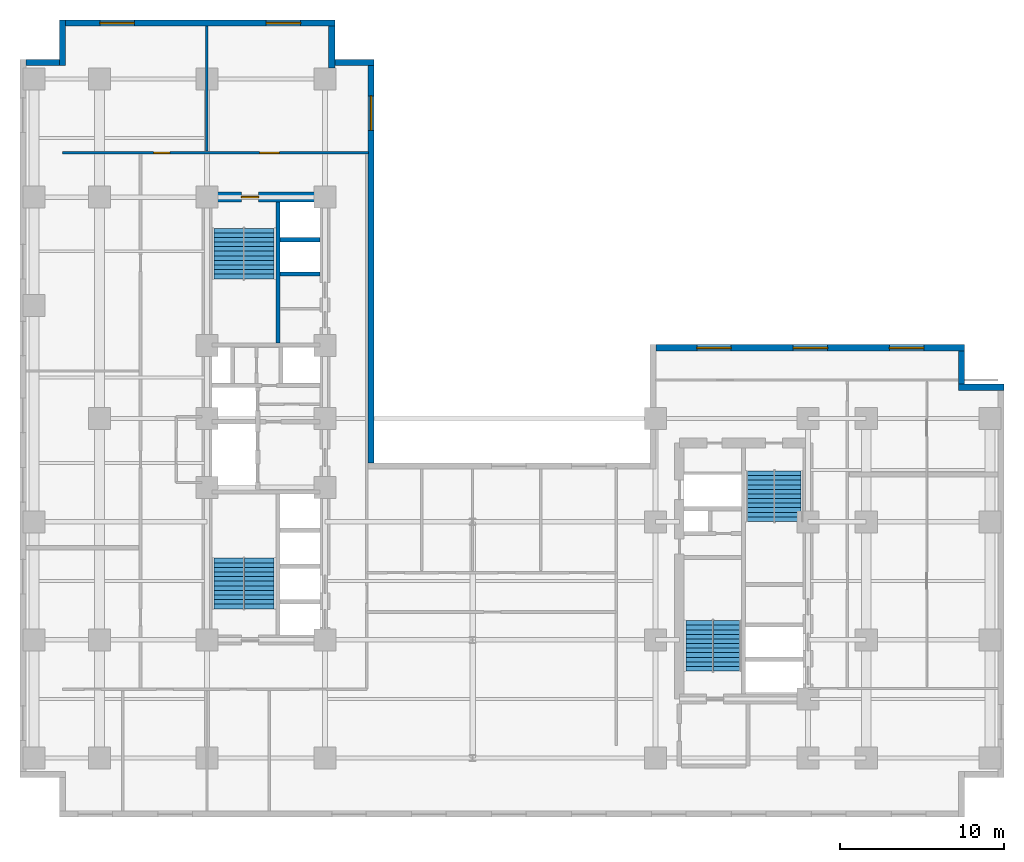
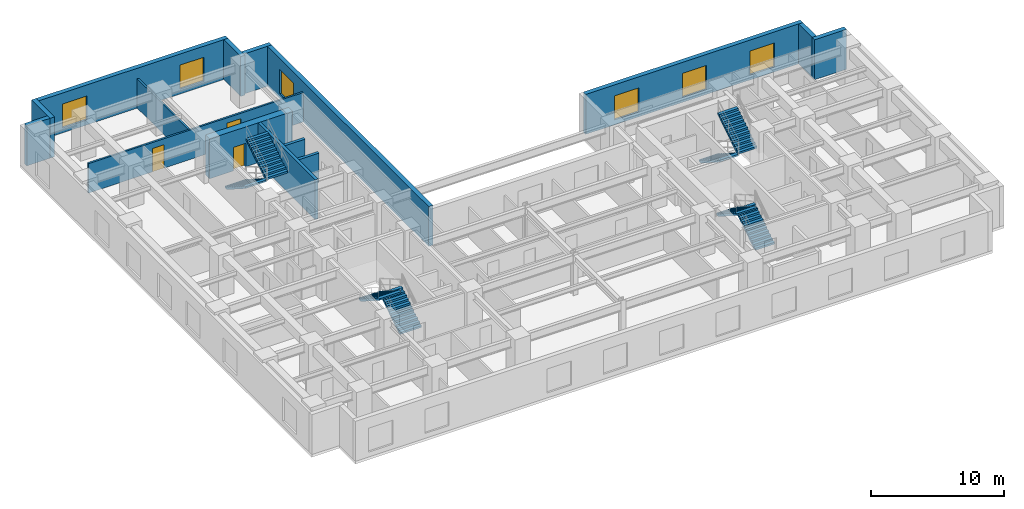
# One storey, part 6 of 9: 15 walls, 8 stair flights, 6 windows, 3 doors, 9 openings, 4 elements without a shape of their own.
"""IFC4 building model written with IfcOpenShell, lengths in metres."""

from ifc_helpers import new_model, entity, si_unit, converted_unit, direction, frame, origin_with_axes, origin_2d_with_axis, place, context, subcontext, project, spatial, polyline, rectangle, outline, extrude, material, layer, layer_set, type_object, element, fill, aggregate, save


model = new_model("IFC4")

# Units and contexts
model_context = context("Model", 3, precision=1e-05, world=origin_with_axes(), true_north=direction((0.0, 1.0)))
body_context = subcontext(model_context, "Body", "Model", "MODEL_VIEW")
ifc_project = project(units=[si_unit("LENGTHUNIT", "METRE"), si_unit("AREAUNIT", "SQUARE_METRE"), si_unit("VOLUMEUNIT", "CUBIC_METRE"), converted_unit("PLANEANGLEUNIT", "DEGREE", entity("IfcPlaneAngleMeasure", 0.017453292519943295), si_unit("PLANEANGLEUNIT", "RADIAN"), dimensions=[0, 0, 0, 0, 0, 0, 0]), si_unit("MASSUNIT", "GRAM", prefix="KILO"), si_unit("THERMODYNAMICTEMPERATUREUNIT", "KELVIN")], contexts=[model_context])

# Site, building, storey
site_placement = place(None, origin_with_axes())
site = spatial("IfcSite", under=ifc_project, at=site_placement, CompositionType="ELEMENT")
building_placement = place(site_placement, origin_with_axes())
building = spatial("IfcBuilding", under=site, at=building_placement, Name="Varnlund Millrace Tower", CompositionType="ELEMENT")
storey_placement = place(building_placement, frame((0.0, 0.0, 63.9), z_axis=(0.0, 0.0, 1.0), x_axis=(1.0, 0.0, 0.0)))
storey = spatial("IfcBuildingStorey", under=building, at=storey_placement, Name="L15", CompositionType="ELEMENT", Elevation=63.9)

# Wall, opening, door
ifc_material_1 = material(Name="Concrete C80/95", Category="concrete")
ifc_layer_1 = layer(ifc_material_1, 0.6, Name="Concrete C80/95")
ifc_layer_set_1 = layer_set([ifc_layer_1], Name="Concrete C80/95")
wall_type_1 = type_object("IfcWallType", Name="Type-CoreWall-Shear-600-C80", PredefinedType="SHEAR", material=ifc_layer_set_1)
wall_1_placement = place(storey_placement, frame((11.4, 37.8, 0.0), z_axis=(0.0, 0.0, 1.0), x_axis=(1.0, 0.0, 0.0)))
wall_1 = element("IfcWall", 1, at=wall_1_placement, inside=storey, type_object=wall_type_1, Name="Type-CoreWall-Shear-600-C80", PredefinedType="SHEAR", context=body_context, shape_type="SweptSolid", body=[
    extrude(outline(polyline([(0.0, -0.3), (7.2, -0.3), (7.2, 0.3), (0.0, 0.3), (0.0, -0.3)])), origin_with_axes(), (0.0, 0.0, 1.0), 3.66),
])
opening_1_placement = place(wall_1_placement, frame((2.625, 0.0, 0.0), z_axis=(0.0, 0.0, 1.0), x_axis=(1.0, 0.0, 0.0)))
opening_1 = element("IfcOpeningElement", 2, at=opening_1_placement, cuts=wall_1, Name="Opening L15:DR-STA2", PredefinedType="OPENING", context=body_context, shape_type="SweptSolid", body=[
    extrude(rectangle(XDim=1.05, YDim=0.62, at=origin_2d_with_axis()), origin_with_axes(), (0.0, 0.0, 1.0), 2.15),
])
ifc_material_2 = material(Name="Fire-rated hollow steel door", Category="steel")
door_type_1 = type_object("IfcDoorType", Name="Type-FireDoor-Stair-1050X2150", OperationType="NOTDEFINED", PredefinedType="DOOR", material=ifc_material_2)
door_1_placement = place(wall_1_placement, frame((2.625, 0.0, 0.0), z_axis=(0.0, 0.0, 1.0), x_axis=(1.0, 0.0, 0.0)))
door_1 = element("IfcDoor", 3, at=door_1_placement, inside=storey, type_object=door_type_1, Name="Type-FireDoor-Stair-1050X2150", OperationType="SINGLE_SWING_RIGHT", OverallHeight=2.15, OverallWidth=1.05, PredefinedType="DOOR", context=body_context, shape_type="SweptSolid", body=[
    extrude(rectangle(XDim=1.05, YDim=0.09, at=origin_2d_with_axis()), origin_with_axes(), (0.0, 0.0, 1.0), 2.15),
])
fill(opening_1, door_1)

# Wall, openings, windows
ifc_material_3 = material(Name="Precast concrete C50/60", Category="concrete")
ifc_layer_2 = layer(ifc_material_3, 0.38, Name="Precast concrete C50/60")
ifc_layer_set_2 = layer_set([ifc_layer_2], Name="Precast concrete C50/60")
wall_type_2 = type_object("IfcWallType", Name="Type-ExtWall-Precast-Tube-380", PredefinedType="SOLIDWALL", material=ifc_layer_set_2)
wall_2_placement = place(storey_placement, frame((38.78, 28.61, 0.0), z_axis=(0.0, 0.0, 1.0), x_axis=(1.0, 0.0, 0.0)))
wall_2 = element("IfcWall", 4, at=wall_2_placement, inside=storey, type_object=wall_type_2, Name="Type-ExtWall-Precast-Tube-380", PredefinedType="SOLIDWALL", context=body_context, shape_type="SweptSolid", body=[
    extrude(outline(polyline([(0.0, -0.19), (18.82, -0.19), (18.82, 0.19), (0.0, 0.19), (0.0, -0.19)])), origin_with_axes(), (0.0, 0.0, 1.0), 3.66),
])
opening_2_placement = place(wall_2_placement, frame((3.537, 0.0, 0.45), z_axis=(0.0, 0.0, 1.0), x_axis=(1.0, 0.0, 0.0)))
opening_2 = element("IfcOpeningElement", 5, at=opening_2_placement, cuts=wall_2, Name="Opening L15:WN-01", PredefinedType="OPENING", context=body_context, shape_type="SweptSolid", body=[
    extrude(rectangle(XDim=2.1, YDim=0.4, at=origin_2d_with_axis()), origin_with_axes(), (0.0, 0.0, 1.0), 2.2),
])
opening_3_placement = place(wall_2_placement, frame((9.41, 0.0, 0.45), z_axis=(0.0, 0.0, 1.0), x_axis=(1.0, 0.0, 0.0)))
opening_3 = element("IfcOpeningElement", 6, at=opening_3_placement, cuts=wall_2, Name="Opening L15:WN-02", PredefinedType="OPENING", context=body_context, shape_type="SweptSolid", body=[
    extrude(rectangle(XDim=2.1, YDim=0.4, at=origin_2d_with_axis()), origin_with_axes(), (0.0, 0.0, 1.0), 2.2),
])
opening_4_placement = place(wall_2_placement, frame((15.283, 0.0, 0.45), z_axis=(0.0, 0.0, 1.0), x_axis=(1.0, 0.0, 0.0)))
opening_4 = element("IfcOpeningElement", 7, at=opening_4_placement, cuts=wall_2, Name="Opening L15:WN-03", PredefinedType="OPENING", context=body_context, shape_type="SweptSolid", body=[
    extrude(rectangle(XDim=2.1, YDim=0.4, at=origin_2d_with_axis()), origin_with_axes(), (0.0, 0.0, 1.0), 2.2),
])
ifc_material_4 = material(Name="Argon low-e triple glazing in thermally broken bronze frame", Category="glass")
window_type = type_object("IfcWindowType", Name="Type-Window-Punched-2100X2200", PartitioningType="SINGLE_PANEL", PredefinedType="WINDOW", material=ifc_material_4)
window_1_placement = place(wall_2_placement, frame((3.537, 0.0, 0.45), z_axis=(0.0, 0.0, 1.0), x_axis=(1.0, 0.0, 0.0)))
window_1 = element("IfcWindow", 8, at=window_1_placement, inside=storey, type_object=window_type, Name="Type-Window-Punched-2100X2200", OverallHeight=2.2, OverallWidth=2.1, PredefinedType="WINDOW", context=body_context, shape_type="SweptSolid", body=[
    extrude(rectangle(XDim=2.1, YDim=0.09, at=origin_2d_with_axis()), origin_with_axes(), (0.0, 0.0, 1.0), 2.2),
])
fill(opening_2, window_1)
window_2_placement = place(wall_2_placement, frame((9.41, 0.0, 0.45), z_axis=(0.0, 0.0, 1.0), x_axis=(1.0, 0.0, 0.0)))
window_2 = element("IfcWindow", 9, at=window_2_placement, inside=storey, type_object=window_type, Name="Type-Window-Punched-2100X2200", OverallHeight=2.2, OverallWidth=2.1, PredefinedType="WINDOW", context=body_context, shape_type="SweptSolid", body=[
    extrude(rectangle(XDim=2.1, YDim=0.09, at=origin_2d_with_axis()), origin_with_axes(), (0.0, 0.0, 1.0), 2.2),
])
fill(opening_3, window_2)
window_3_placement = place(wall_2_placement, frame((15.283, 0.0, 0.45), z_axis=(0.0, 0.0, 1.0), x_axis=(1.0, 0.0, 0.0)))
window_3 = element("IfcWindow", 10, at=window_3_placement, inside=storey, type_object=window_type, Name="Type-Window-Punched-2100X2200", OverallHeight=2.2, OverallWidth=2.1, PredefinedType="WINDOW", context=body_context, shape_type="SweptSolid", body=[
    extrude(rectangle(XDim=2.1, YDim=0.09, at=origin_2d_with_axis()), origin_with_axes(), (0.0, 0.0, 1.0), 2.2),
])
fill(opening_4, window_3)

# Walls
wall_3_placement = place(storey_placement, frame((57.41, 28.42, 0.0), z_axis=(0.0, 0.0, 1.0), x_axis=(0.0, -1.0, 0.0)))
element("IfcWall", 11, at=wall_3_placement, inside=storey, type_object=wall_type_2, Name="Type-ExtWall-Precast-Tube-380", PredefinedType="SOLIDWALL", context=body_context, shape_type="SweptSolid", body=[
    extrude(outline(polyline([(0.0, -0.19), (2.02, -0.19), (2.02, 0.19), (0.0, 0.19), (0.0, -0.19)])), origin_with_axes(), (0.0, 0.0, 1.0), 3.66),
])
wall_4_placement = place(storey_placement, frame((57.22, 26.21, 0.0), z_axis=(0.0, 0.0, 1.0), x_axis=(1.0, 0.0, 0.0)))
element("IfcWall", 12, at=wall_4_placement, inside=storey, type_object=wall_type_2, Name="Type-ExtWall-Precast-Tube-380", PredefinedType="SOLIDWALL", context=body_context, shape_type="SweptSolid", body=[
    extrude(outline(polyline([(0.0, -0.19), (2.78, -0.19), (2.78, 0.19), (0.0, 0.19), (0.0, -0.19)])), origin_with_axes(), (0.0, 0.0, 1.0), 3.66),
])
wall_5_placement = place(storey_placement, frame((0.38, 46.01, 0.0), z_axis=(0.0, 0.0, 1.0), x_axis=(1.0, 0.0, 0.0)))
element("IfcWall", 13, at=wall_5_placement, inside=storey, type_object=wall_type_2, Name="Type-ExtWall-Precast-Tube-380", PredefinedType="SOLIDWALL", context=body_context, shape_type="SweptSolid", body=[
    extrude(outline(polyline([(0.0, -0.19), (2.02, -0.19), (2.02, 0.19), (0.0, 0.19), (0.0, -0.19)])), origin_with_axes(), (0.0, 0.0, 1.0), 3.66),
])
wall_6_placement = place(storey_placement, frame((2.59, 45.82, 0.0), z_axis=(0.0, 0.0, 1.0), x_axis=(0.0, 1.0, 0.0)))
element("IfcWall", 14, at=wall_6_placement, inside=storey, type_object=wall_type_2, Name="Type-ExtWall-Precast-Tube-380", PredefinedType="SOLIDWALL", context=body_context, shape_type="SweptSolid", body=[
    extrude(outline(polyline([(0.0, -0.19), (2.78, -0.19), (2.78, 0.19), (0.0, 0.19), (0.0, -0.19)])), origin_with_axes(), (0.0, 0.0, 1.0), 3.66),
])

# Wall, openings, windows
wall_7_placement = place(storey_placement, frame((2.78, 48.41, 0.0), z_axis=(0.0, 0.0, 1.0), x_axis=(1.0, 0.0, 0.0)))
wall_7 = element("IfcWall", 15, at=wall_7_placement, inside=storey, type_object=wall_type_2, Name="Type-ExtWall-Precast-Tube-380", PredefinedType="SOLIDWALL", context=body_context, shape_type="SweptSolid", body=[
    extrude(outline(polyline([(0.0, -0.19), (16.42, -0.19), (16.42, 0.19), (0.0, 0.19), (0.0, -0.19)])), origin_with_axes(), (0.0, 0.0, 1.0), 3.66),
])
opening_5_placement = place(wall_7_placement, frame((3.137, 0.0, 0.45), z_axis=(0.0, 0.0, 1.0), x_axis=(1.0, 0.0, 0.0)))
opening_5 = element("IfcOpeningElement", 16, at=opening_5_placement, cuts=wall_7, Name="Opening L15:WN-22", PredefinedType="OPENING", context=body_context, shape_type="SweptSolid", body=[
    extrude(rectangle(XDim=2.1, YDim=0.4, at=origin_2d_with_axis()), origin_with_axes(), (0.0, 0.0, 1.0), 2.2),
])
opening_6_placement = place(wall_7_placement, frame((13.283, 0.0, 0.45), z_axis=(0.0, 0.0, 1.0), x_axis=(1.0, 0.0, 0.0)))
opening_6 = element("IfcOpeningElement", 17, at=opening_6_placement, cuts=wall_7, Name="Opening L15:WN-23", PredefinedType="OPENING", context=body_context, shape_type="SweptSolid", body=[
    extrude(rectangle(XDim=2.1, YDim=0.4, at=origin_2d_with_axis()), origin_with_axes(), (0.0, 0.0, 1.0), 2.2),
])
window_4_placement = place(wall_7_placement, frame((3.137, 0.0, 0.45), z_axis=(0.0, 0.0, 1.0), x_axis=(1.0, 0.0, 0.0)))
window_4 = element("IfcWindow", 18, at=window_4_placement, inside=storey, type_object=window_type, Name="Type-Window-Punched-2100X2200", OverallHeight=2.2, OverallWidth=2.1, PredefinedType="WINDOW", context=body_context, shape_type="SweptSolid", body=[
    extrude(rectangle(XDim=2.1, YDim=0.09, at=origin_2d_with_axis()), origin_with_axes(), (0.0, 0.0, 1.0), 2.2),
])
fill(opening_5, window_4)
window_5_placement = place(wall_7_placement, frame((13.283, 0.0, 0.45), z_axis=(0.0, 0.0, 1.0), x_axis=(1.0, 0.0, 0.0)))
window_5 = element("IfcWindow", 19, at=window_5_placement, inside=storey, type_object=window_type, Name="Type-Window-Punched-2100X2200", OverallHeight=2.2, OverallWidth=2.1, PredefinedType="WINDOW", context=body_context, shape_type="SweptSolid", body=[
    extrude(rectangle(XDim=2.1, YDim=0.09, at=origin_2d_with_axis()), origin_with_axes(), (0.0, 0.0, 1.0), 2.2),
])
fill(opening_6, window_5)

# Walls
wall_8_placement = place(storey_placement, frame((19.01, 48.22, 0.0), z_axis=(0.0, 0.0, 1.0), x_axis=(0.0, -1.0, 0.0)))
element("IfcWall", 20, at=wall_8_placement, inside=storey, type_object=wall_type_2, Name="Type-ExtWall-Precast-Tube-380", PredefinedType="SOLIDWALL", context=body_context, shape_type="SweptSolid", body=[
    extrude(outline(polyline([(0.0, -0.19), (2.56, -0.19), (2.56, 0.19), (0.0, 0.19), (0.0, -0.19)])), origin_with_axes(), (0.0, 0.0, 1.0), 3.66),
])
wall_9_placement = place(storey_placement, frame((18.82, 46.01, 0.0), z_axis=(0.0, 0.0, 1.0), x_axis=(1.0, 0.0, 0.0)))
element("IfcWall", 21, at=wall_9_placement, inside=storey, type_object=wall_type_2, Name="Type-ExtWall-Precast-Tube-380", PredefinedType="SOLIDWALL", context=body_context, shape_type="SweptSolid", body=[
    extrude(outline(polyline([(0.0, -0.19), (2.78, -0.19), (2.78, 0.19), (0.0, 0.19), (0.0, -0.19)])), origin_with_axes(), (0.0, 0.0, 1.0), 3.66),
])

# Wall, opening, window
wall_10_placement = place(storey_placement, frame((21.41, 45.82, 0.0), z_axis=(0.0, 0.0, 1.0), x_axis=(0.0, -1.0, 0.0)))
wall_10 = element("IfcWall", 22, at=wall_10_placement, inside=storey, type_object=wall_type_2, Name="Type-ExtWall-Precast-Tube-380", PredefinedType="SOLIDWALL", context=body_context, shape_type="SweptSolid", body=[
    extrude(outline(polyline([(0.0, -0.19), (24.22, -0.19), (24.22, 0.19), (0.0, 0.19), (0.0, -0.19)])), origin_with_axes(), (0.0, 0.0, 1.0), 3.66),
])
opening_7_placement = place(wall_10_placement, frame((2.902, 0.0, 0.45), z_axis=(0.0, 0.0, 1.0), x_axis=(1.0, 0.0, 0.0)))
opening_7 = element("IfcOpeningElement", 23, at=opening_7_placement, cuts=wall_10, Name="Opening L15:WN-24", PredefinedType="OPENING", context=body_context, shape_type="SweptSolid", body=[
    extrude(rectangle(XDim=2.1, YDim=0.4, at=origin_2d_with_axis()), origin_with_axes(), (0.0, 0.0, 1.0), 2.2),
])
window_6_placement = place(wall_10_placement, frame((2.902, 0.0, 0.45), z_axis=(0.0, 0.0, 1.0), x_axis=(1.0, 0.0, 0.0)))
window_6 = element("IfcWindow", 24, at=window_6_placement, inside=storey, type_object=window_type, Name="Type-Window-Punched-2100X2200", OverallHeight=2.2, OverallWidth=2.1, PredefinedType="WINDOW", context=body_context, shape_type="SweptSolid", body=[
    extrude(rectangle(XDim=2.1, YDim=0.09, at=origin_2d_with_axis()), origin_with_axes(), (0.0, 0.0, 1.0), 2.2),
])
fill(opening_7, window_6)

# Wall, openings, doors
ifc_material_5 = material(Name="Fire-rated gypsum board on cold-formed steel framing", Category="steel")
ifc_layer_3 = layer(ifc_material_5, 0.16, Name="Fire-rated gypsum board on cold-formed steel framing")
ifc_layer_set_3 = layer_set([ifc_layer_3], Name="Fire-rated gypsum board on cold-formed steel framing")
wall_type_3 = type_object("IfcWallType", Name="Type-Partition-Corridor-160", PredefinedType="PARTITIONING", material=ifc_layer_set_3)
wall_11_placement = place(storey_placement, frame((2.6, 40.5, 0.0), z_axis=(0.0, 0.0, 1.0), x_axis=(1.0, 0.0, 0.0)))
wall_11 = element("IfcWall", 25, at=wall_11_placement, inside=storey, type_object=wall_type_3, Name="Type-Partition-Corridor-160", PredefinedType="PARTITIONING", context=body_context, shape_type="SweptSolid", body=[
    extrude(outline(polyline([(0.0, -0.08), (18.65, -0.08), (18.65, 0.08), (0.0, 0.08), (0.0, -0.08)])), origin_with_axes(), (0.0, 0.0, 1.0), 2.7),
])
opening_8_placement = place(wall_11_placement, frame((6.045, 0.0, 0.0), z_axis=(0.0, 0.0, 1.0), x_axis=(1.0, 0.0, 0.0)))
opening_8 = element("IfcOpeningElement", 26, at=opening_8_placement, cuts=wall_11, Name="Opening L15:DR-WAN-01", PredefinedType="OPENING", context=body_context, shape_type="SweptSolid", body=[
    extrude(rectangle(XDim=1.0, YDim=0.18, at=origin_2d_with_axis()), origin_with_axes(), (0.0, 0.0, 1.0), 2.15),
])
opening_9_placement = place(wall_11_placement, frame((12.61, 0.0, 0.0), z_axis=(0.0, 0.0, 1.0), x_axis=(1.0, 0.0, 0.0)))
opening_9 = element("IfcOpeningElement", 27, at=opening_9_placement, cuts=wall_11, Name="Opening L15:DR-WAN-02", PredefinedType="OPENING", context=body_context, shape_type="SweptSolid", body=[
    extrude(rectangle(XDim=1.2, YDim=0.18, at=origin_2d_with_axis()), origin_with_axes(), (0.0, 0.0, 1.0), 2.2),
])
ifc_material_6 = material(Name="Wide executive white oak acoustic door")
door_type_2 = type_object("IfcDoorType", Name="Type-IntDoor-Exec-1200X2200", OperationType="NOTDEFINED", PredefinedType="DOOR", material=ifc_material_6)
door_2_placement = place(wall_11_placement, frame((12.61, 0.0, 0.0), z_axis=(0.0, 0.0, 1.0), x_axis=(1.0, 0.0, 0.0)))
door_2 = element("IfcDoor", 28, at=door_2_placement, inside=storey, type_object=door_type_2, Name="Type-IntDoor-Exec-1200X2200", OperationType="SINGLE_SWING_RIGHT", OverallHeight=2.2, OverallWidth=1.2, PredefinedType="DOOR", context=body_context, shape_type="SweptSolid", body=[
    extrude(rectangle(XDim=1.2, YDim=0.09, at=origin_2d_with_axis()), origin_with_axes(), (0.0, 0.0, 1.0), 2.2),
])
fill(opening_9, door_2)
ifc_material_7 = material(Name="Solid-core white oak and bronze frame door")
door_type_3 = type_object("IfcDoorType", Name="Type-IntDoor-Office-1000X2150", OperationType="NOTDEFINED", PredefinedType="DOOR", material=ifc_material_7)
door_3_placement = place(wall_11_placement, frame((6.045, 0.0, 0.0), z_axis=(0.0, 0.0, 1.0), x_axis=(1.0, 0.0, 0.0)))
door_3 = element("IfcDoor", 29, at=door_3_placement, inside=storey, type_object=door_type_3, Name="Type-IntDoor-Office-1000X2150", OperationType="SINGLE_SWING_LEFT", OverallHeight=2.15, OverallWidth=1.0, PredefinedType="DOOR", context=body_context, shape_type="SweptSolid", body=[
    extrude(rectangle(XDim=1.0, YDim=0.09, at=origin_2d_with_axis()), origin_with_axes(), (0.0, 0.0, 1.0), 2.15),
])
fill(opening_8, door_3)

# Walls
ifc_material_8 = material(Name="Acoustic STC-50 gypsum board partition", Category="gypsum")
ifc_layer_4 = layer(ifc_material_8, 0.15, Name="Acoustic STC-50 gypsum board partition")
ifc_layer_set_4 = layer_set([ifc_layer_4], Name="Acoustic STC-50 gypsum board partition")
wall_type_4 = type_object("IfcWallType", Name="Type-Partition-Demising-150", PredefinedType="PARTITIONING", material=ifc_layer_set_4)
wall_12_placement = place(storey_placement, frame((11.4, 40.6, 0.0), z_axis=(0.0, 0.0, 1.0), x_axis=(0.0, 1.0, 0.0)))
element("IfcWall", 30, at=wall_12_placement, inside=storey, type_object=wall_type_4, Name="Type-Partition-Demising-150", PredefinedType="PARTITIONING", context=body_context, shape_type="SweptSolid", body=[
    extrude(outline(polyline([(0.0, -0.075), (7.64, -0.075), (7.64, 0.075), (0.0, 0.075), (0.0, -0.075)])), origin_with_axes(), (0.0, 0.0, 1.0), 2.7),
])
ifc_material_9 = material(Name="Concrete C60/75", Category="concrete")
ifc_layer_5 = layer(ifc_material_9, 0.25, Name="Concrete C60/75")
ifc_layer_set_5 = layer_set([ifc_layer_5], Name="Concrete C60/75")
wall_type_5 = type_object("IfcWallType", Name="Type-ShaftWall-Fire-250", PredefinedType="SOLIDWALL", material=ifc_layer_set_5)
for number, where, z_axis, x_axis, name in (
    (31, (15.84, 33.1, 0.0), (0.0, 0.0, 1.0), (1.0, 0.0, 0.0), "Type-ShaftWall-Fire-250"),
    (32, (15.84, 35.2, 0.0), (0.0, 0.0, 1.0), (1.0, 0.0, 0.0), "Type-ShaftWall-Fire-250"),
):
    element("IfcWall", number, at=place(storey_placement, frame(where, z_axis=z_axis, x_axis=x_axis)), inside=storey, type_object=wall_type_5, Name=name, PredefinedType="SOLIDWALL", context=body_context, shape_type="SweptSolid", body=[
        extrude(outline(polyline([(0.0, -0.125), (2.46, -0.125), (2.46, 0.125), (0.0, 0.125), (0.0, -0.125)])), origin_with_axes(), (0.0, 0.0, 1.0), 2.7),
    ])
wall_type_6 = type_object("IfcWallType", Name="Type-StairWall-Shear-250", PredefinedType="SHEAR", material=ifc_layer_set_5)
wall_13_placement = place(storey_placement, frame((15.725, 28.9, 0.0), z_axis=(0.0, 0.0, 1.0), x_axis=(0.0, 1.0, 0.0)))
element("IfcWall", 33, at=wall_13_placement, inside=storey, type_object=wall_type_6, Name="Type-StairWall-Shear-250", PredefinedType="SHEAR", context=body_context, shape_type="SweptSolid", body=[
    extrude(outline(polyline([(0.0, -0.125), (8.6, -0.125), (8.6, 0.125), (0.0, 0.125), (0.0, -0.125)])), origin_with_axes(), (0.0, 0.0, 1.0), 3.66),
])

# Stair, stair flights
ifc_material_10 = material(Name="Concrete C50/60", Category="concrete")
stair_type_1 = type_object("IfcStairType", Name="Type-Stair-Dogleg-165-390", PredefinedType="HALF_TURN_STAIR", material=ifc_material_10)
stair_1_placement = place(storey_placement, origin_with_axes())
stair_1 = element("IfcStair", 34, at=stair_1_placement, inside=storey, type_object=stair_type_1, Name="Type-Stair-Dogleg-165-390", PredefinedType="HALF_TURN_STAIR")
stair_flight_type_1 = type_object("IfcStairFlightType", Name="Type-Dogleg-Run-165-390", PredefinedType="STRAIGHT", material=ifc_material_3)
stair_flight_1_placement = place(storey_placement, frame((42.225, 8.9, 0.0), z_axis=(1.0, 0.0, 0.0), x_axis=(0.0, 1.0, 0.0)))
stair_flight_1 = element("IfcStairFlight", 35, at=stair_flight_1_placement, type_object=stair_flight_type_1, Name="ST-B1 flight 1", NumberOfRisers=11, NumberOfTreads=11, PredefinedType="STRAIGHT", RiserHeight=0.177273, TreadLength=0.28, context=body_context, shape_type="SweptSolid", body=[
    extrude(outline(polyline([(0.0, 0.0), (0.0, 0.177273), (0.28, 0.177273), (0.28, 0.354545), (0.56, 0.354545), (0.56, 0.531818), (0.84, 0.531818), (0.84, 0.709091), (1.12, 0.709091), (1.12, 0.886364), (1.4, 0.886364), (1.4, 1.063636), (1.68, 1.063636), (1.68, 1.240909), (1.96, 1.240909), (1.96, 1.418182), (2.24, 1.418182), (2.24, 1.595454), (2.52, 1.595454), (2.52, 1.772727), (2.8, 1.772727), (2.8, 1.95), (3.08, 1.95), (3.08, 1.8), (0.28, 0.0), (0.0, 0.0)])), origin_with_axes(), (0.0, 0.0, 1.0), 1.65),
])
stair_flight_2_placement = place(storey_placement, frame((42.275, 11.98, 1.95), z_axis=(-1.0, 0.0, 0.0), x_axis=(0.0, -1.0, 0.0)))
stair_flight_2 = element("IfcStairFlight", 36, at=stair_flight_2_placement, type_object=stair_flight_type_1, Name="ST-B1 flight 2", NumberOfRisers=11, NumberOfTreads=11, PredefinedType="STRAIGHT", RiserHeight=0.177273, TreadLength=0.28, context=body_context, shape_type="SweptSolid", body=[
    extrude(outline(polyline([(0.0, 0.0), (0.0, 0.177273), (0.28, 0.177273), (0.28, 0.354545), (0.56, 0.354545), (0.56, 0.531818), (0.84, 0.531818), (0.84, 0.709091), (1.12, 0.709091), (1.12, 0.886364), (1.4, 0.886364), (1.4, 1.063636), (1.68, 1.063636), (1.68, 1.240909), (1.96, 1.240909), (1.96, 1.418182), (2.24, 1.418182), (2.24, 1.595454), (2.52, 1.595454), (2.52, 1.772727), (2.8, 1.772727), (2.8, 1.95), (3.08, 1.95), (3.08, 1.8), (0.28, 0.0), (0.0, 0.0)])), origin_with_axes(), (0.0, 0.0, 1.0), 1.65),
])
aggregate(stair_1, [stair_flight_1, stair_flight_2])

stair_2_placement = place(storey_placement, origin_with_axes())
stair_2 = element("IfcStair", 37, at=stair_2_placement, inside=storey, type_object=stair_type_1, Name="Type-Stair-Dogleg-165-390", PredefinedType="HALF_TURN_STAIR")
stair_flight_3_placement = place(storey_placement, frame((46.025, 21.1, 0.0), z_axis=(-1.0, 0.0, 0.0), x_axis=(0.0, -1.0, 0.0)))
stair_flight_3 = element("IfcStairFlight", 38, at=stair_flight_3_placement, type_object=stair_flight_type_1, Name="ST-B2 flight 1", NumberOfRisers=11, NumberOfTreads=11, PredefinedType="STRAIGHT", RiserHeight=0.177273, TreadLength=0.28, context=body_context, shape_type="SweptSolid", body=[
    extrude(outline(polyline([(0.0, 0.0), (0.0, 0.177273), (0.28, 0.177273), (0.28, 0.354545), (0.56, 0.354545), (0.56, 0.531818), (0.84, 0.531818), (0.84, 0.709091), (1.12, 0.709091), (1.12, 0.886364), (1.4, 0.886364), (1.4, 1.063636), (1.68, 1.063636), (1.68, 1.240909), (1.96, 1.240909), (1.96, 1.418182), (2.24, 1.418182), (2.24, 1.595454), (2.52, 1.595454), (2.52, 1.772727), (2.8, 1.772727), (2.8, 1.95), (3.08, 1.95), (3.08, 1.8), (0.28, 0.0), (0.0, 0.0)])), origin_with_axes(), (0.0, 0.0, 1.0), 1.65),
])
stair_flight_4_placement = place(storey_placement, frame((45.975, 18.02, 1.95), z_axis=(1.0, 0.0, 0.0), x_axis=(0.0, 1.0, 0.0)))
stair_flight_4 = element("IfcStairFlight", 39, at=stair_flight_4_placement, type_object=stair_flight_type_1, Name="ST-B2 flight 2", NumberOfRisers=11, NumberOfTreads=11, PredefinedType="STRAIGHT", RiserHeight=0.177273, TreadLength=0.28, context=body_context, shape_type="SweptSolid", body=[
    extrude(outline(polyline([(0.0, 0.0), (0.0, 0.177273), (0.28, 0.177273), (0.28, 0.354545), (0.56, 0.354545), (0.56, 0.531818), (0.84, 0.531818), (0.84, 0.709091), (1.12, 0.709091), (1.12, 0.886364), (1.4, 0.886364), (1.4, 1.063636), (1.68, 1.063636), (1.68, 1.240909), (1.96, 1.240909), (1.96, 1.418182), (2.24, 1.418182), (2.24, 1.595454), (2.52, 1.595454), (2.52, 1.772727), (2.8, 1.772727), (2.8, 1.95), (3.08, 1.95), (3.08, 1.8), (0.28, 0.0), (0.0, 0.0)])), origin_with_axes(), (0.0, 0.0, 1.0), 1.65),
])
aggregate(stair_2, [stair_flight_3, stair_flight_4])

stair_type_2 = type_object("IfcStairType", Name="Type-Stair-Dogleg-185-390", PredefinedType="HALF_TURN_STAIR", material=ifc_material_10)
stair_3_placement = place(storey_placement, origin_with_axes())
stair_3 = element("IfcStair", 40, at=stair_3_placement, inside=storey, type_object=stair_type_2, Name="Type-Stair-Dogleg-185-390", PredefinedType="HALF_TURN_STAIR")
stair_flight_type_2 = type_object("IfcStairFlightType", Name="Type-Dogleg-Run-185-390", PredefinedType="STRAIGHT", material=ifc_material_3)
stair_flight_5_placement = place(storey_placement, frame((13.625, 12.7, 0.0), z_axis=(1.0, 0.0, 0.0), x_axis=(0.0, 1.0, 0.0)))
stair_flight_5 = element("IfcStairFlight", 41, at=stair_flight_5_placement, type_object=stair_flight_type_2, Name="ST-A1 flight 1", NumberOfRisers=11, NumberOfTreads=11, PredefinedType="STRAIGHT", RiserHeight=0.177273, TreadLength=0.28, context=body_context, shape_type="SweptSolid", body=[
    extrude(outline(polyline([(0.0, 0.0), (0.0, 0.177273), (0.28, 0.177273), (0.28, 0.354545), (0.56, 0.354545), (0.56, 0.531818), (0.84, 0.531818), (0.84, 0.709091), (1.12, 0.709091), (1.12, 0.886364), (1.4, 0.886364), (1.4, 1.063636), (1.68, 1.063636), (1.68, 1.240909), (1.96, 1.240909), (1.96, 1.418182), (2.24, 1.418182), (2.24, 1.595454), (2.52, 1.595454), (2.52, 1.772727), (2.8, 1.772727), (2.8, 1.95), (3.08, 1.95), (3.08, 1.8), (0.28, 0.0), (0.0, 0.0)])), origin_with_axes(), (0.0, 0.0, 1.0), 1.85),
])
stair_flight_6_placement = place(storey_placement, frame((13.675, 15.78, 1.95), z_axis=(-1.0, 0.0, 0.0), x_axis=(0.0, -1.0, 0.0)))
stair_flight_6 = element("IfcStairFlight", 42, at=stair_flight_6_placement, type_object=stair_flight_type_2, Name="ST-A1 flight 2", NumberOfRisers=11, NumberOfTreads=11, PredefinedType="STRAIGHT", RiserHeight=0.177273, TreadLength=0.28, context=body_context, shape_type="SweptSolid", body=[
    extrude(outline(polyline([(0.0, 0.0), (0.0, 0.177273), (0.28, 0.177273), (0.28, 0.354545), (0.56, 0.354545), (0.56, 0.531818), (0.84, 0.531818), (0.84, 0.709091), (1.12, 0.709091), (1.12, 0.886364), (1.4, 0.886364), (1.4, 1.063636), (1.68, 1.063636), (1.68, 1.240909), (1.96, 1.240909), (1.96, 1.418182), (2.24, 1.418182), (2.24, 1.595454), (2.52, 1.595454), (2.52, 1.772727), (2.8, 1.772727), (2.8, 1.95), (3.08, 1.95), (3.08, 1.8), (0.28, 0.0), (0.0, 0.0)])), origin_with_axes(), (0.0, 0.0, 1.0), 1.85),
])
aggregate(stair_3, [stair_flight_5, stair_flight_6])

stair_4_placement = place(storey_placement, origin_with_axes())
stair_4 = element("IfcStair", 43, at=stair_4_placement, inside=storey, type_object=stair_type_2, Name="Type-Stair-Dogleg-185-390", PredefinedType="HALF_TURN_STAIR")
stair_flight_7_placement = place(storey_placement, frame((13.675, 35.9, 0.0), z_axis=(-1.0, 0.0, 0.0), x_axis=(0.0, -1.0, 0.0)))
stair_flight_7 = element("IfcStairFlight", 44, at=stair_flight_7_placement, type_object=stair_flight_type_2, Name="ST-A2 flight 1", NumberOfRisers=11, NumberOfTreads=11, PredefinedType="STRAIGHT", RiserHeight=0.177273, TreadLength=0.28, context=body_context, shape_type="SweptSolid", body=[
    extrude(outline(polyline([(0.0, 0.0), (0.0, 0.177273), (0.28, 0.177273), (0.28, 0.354545), (0.56, 0.354545), (0.56, 0.531818), (0.84, 0.531818), (0.84, 0.709091), (1.12, 0.709091), (1.12, 0.886364), (1.4, 0.886364), (1.4, 1.063636), (1.68, 1.063636), (1.68, 1.240909), (1.96, 1.240909), (1.96, 1.418182), (2.24, 1.418182), (2.24, 1.595454), (2.52, 1.595454), (2.52, 1.772727), (2.8, 1.772727), (2.8, 1.95), (3.08, 1.95), (3.08, 1.8), (0.28, 0.0), (0.0, 0.0)])), origin_with_axes(), (0.0, 0.0, 1.0), 1.85),
])
stair_flight_8_placement = place(storey_placement, frame((13.625, 32.82, 1.95), z_axis=(1.0, 0.0, 0.0), x_axis=(0.0, 1.0, 0.0)))
stair_flight_8 = element("IfcStairFlight", 45, at=stair_flight_8_placement, type_object=stair_flight_type_2, Name="ST-A2 flight 2", NumberOfRisers=11, NumberOfTreads=11, PredefinedType="STRAIGHT", RiserHeight=0.177273, TreadLength=0.28, context=body_context, shape_type="SweptSolid", body=[
    extrude(outline(polyline([(0.0, 0.0), (0.0, 0.177273), (0.28, 0.177273), (0.28, 0.354545), (0.56, 0.354545), (0.56, 0.531818), (0.84, 0.531818), (0.84, 0.709091), (1.12, 0.709091), (1.12, 0.886364), (1.4, 0.886364), (1.4, 1.063636), (1.68, 1.063636), (1.68, 1.240909), (1.96, 1.240909), (1.96, 1.418182), (2.24, 1.418182), (2.24, 1.595454), (2.52, 1.595454), (2.52, 1.772727), (2.8, 1.772727), (2.8, 1.95), (3.08, 1.95), (3.08, 1.8), (0.28, 0.0), (0.0, 0.0)])), origin_with_axes(), (0.0, 0.0, 1.0), 1.85),
])
aggregate(stair_4, [stair_flight_7, stair_flight_8])

save(model, "model.ifc")
